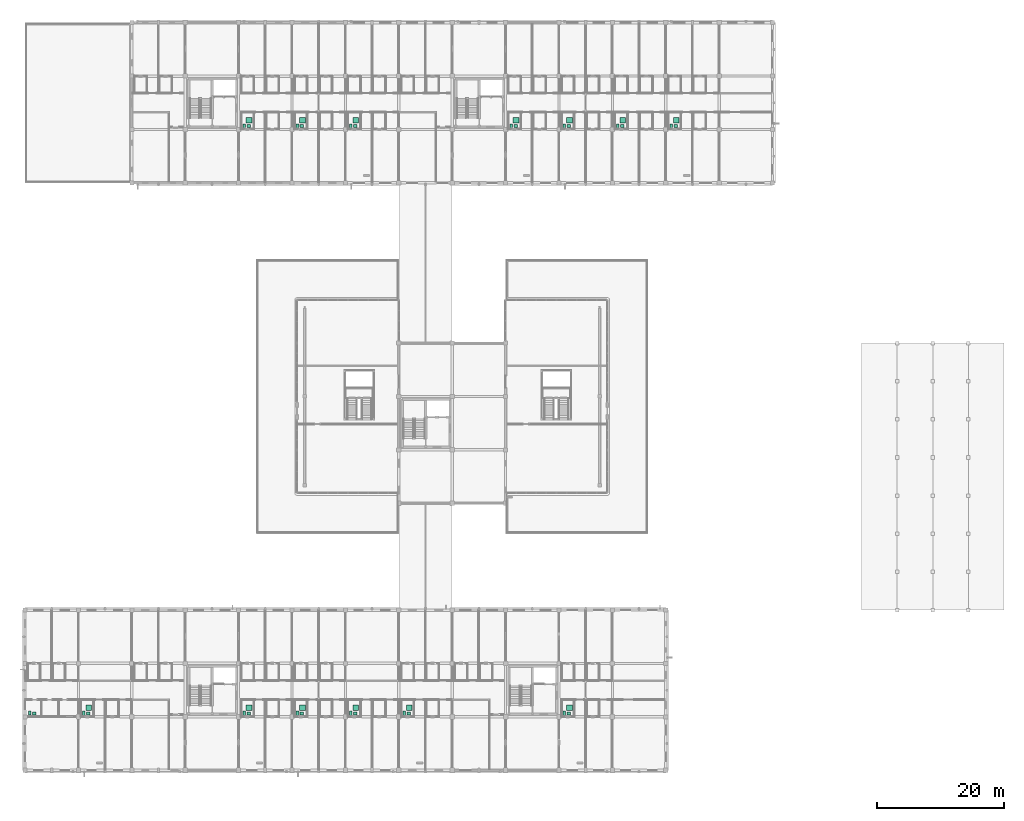
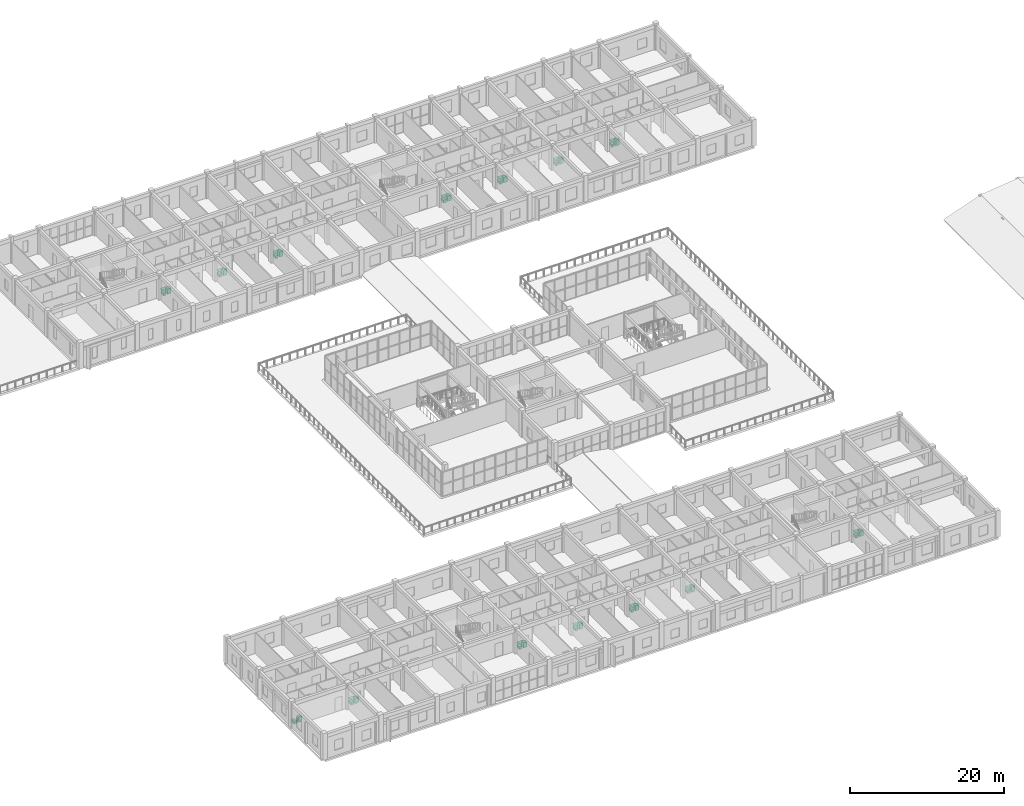
# One storey, part 90 of 90: 41 sanitary terminals.
"""IFC4 building model written with IfcOpenShell, lengths in metres."""

from ifc_helpers import new_model, si_unit, direction, frame, origin, origin_2d, place, context, subcontext, project, spatial, rectangle, extrude, material, type_object, element, save


model = new_model("IFC4")

# Units and contexts
model_context = context("Model", 3, precision=1e-05, world=origin(), true_north=direction((0.0, 1.0)))
body_context = subcontext(model_context, "Body", "Model", "MODEL_VIEW")
ifc_project = project(units=[si_unit("LENGTHUNIT", "METRE"), si_unit("AREAUNIT", "SQUARE_METRE"), si_unit("VOLUMEUNIT", "CUBIC_METRE"), si_unit("PLANEANGLEUNIT", "RADIAN"), si_unit("MASSUNIT", "GRAM", prefix="KILO")], contexts=[model_context])

# Site, building, storey
site_placement = place(None, origin())
site = spatial("IfcSite", under=ifc_project, at=site_placement, CompositionType="ELEMENT")
building_placement = place(site_placement, origin())
building = spatial("IfcBuilding", under=site, at=building_placement, Name="Trelvath General Hospital", CompositionType="ELEMENT")
storey_placement = place(building_placement, frame((0.0, 0.0, 20.39990234375)))
storey = spatial("IfcBuildingStorey", under=building, at=storey_placement, Name="L05", CompositionType="ELEMENT", Elevation=20.39990234375)

# Sanitary terminals
ifc_material_1 = material(Name="Sanitary glazed porcelain")
sanitary_terminal_type_1 = type_object("IfcSanitaryTerminalType", Name="Sanitary Basin", PredefinedType="WASHHANDBASIN", material=ifc_material_1)
for number, where, z_axis, x_axis, name in (
    (1, (18.219970703125, 8.93994140625, 0.0), (0.0, 0.0, 1.0), (1.0, 0.0, 0.0), "Pedestal Washbasin FIT-L05-V6-AWC-2"),
    (2, (26.760009765625, 8.929931640625, 0.0), (0.0, 0.0, 1.0), (1.0, 0.0, 0.0), "Pedestal Washbasin FIT-L05-V6-3-W"),
    (3, (51.9599609375, 8.929931640625, 0.0), (0.0, 0.0, 1.0), (1.0, 0.0, 0.0), "Pedestal Washbasin FIT-L05-V6-6-W"),
    (4, (60.360107421875, 8.929931640625, 0.0), (0.0, 0.0, 1.0), (1.0, 0.0, 0.0), "Pedestal Washbasin FIT-L05-V6-7-W"),
    (5, (68.760009765625, 8.929931640625, 0.0), (0.0, 0.0, 1.0), (1.0, 0.0, 0.0), "Pedestal Washbasin FIT-L05-V6-8-W"),
    (6, (77.159912109375, 8.929931640625, 0.0), (0.0, 0.0, 1.0), (1.0, 0.0, 0.0), "Pedestal Washbasin FIT-L05-V6-9-W"),
    (7, (102.360107421875, 8.929931640625, 0.0), (0.0, 0.0, 1.0), (1.0, 0.0, 0.0), "Pedestal Washbasin FIT-L05-V6-12-W"),
    (8, (51.9599609375, 101.330078125, 0.0), (0.0, 0.0, 1.0), (1.0, 0.0, 0.0), "Pedestal Washbasin FIT-L05-V5-6-W"),
    (9, (60.360107421875, 101.330078125, 0.0), (0.0, 0.0, 1.0), (1.0, 0.0, 0.0), "Pedestal Washbasin FIT-L05-V5-7-W"),
    (10, (68.760009765625, 101.330078125, 0.0), (0.0, 0.0, 1.0), (1.0, 0.0, 0.0), "Pedestal Washbasin FIT-L05-V5-8-W"),
    (11, (93.9599609375, 101.330078125, 0.0), (0.0, 0.0, 1.0), (1.0, 0.0, 0.0), "Pedestal Washbasin FIT-L05-V5-11-W"),
    (12, (102.360107421875, 101.330078125, 0.0), (0.0, 0.0, 1.0), (1.0, 0.0, 0.0), "Pedestal Washbasin FIT-L05-V5-12-W"),
    (13, (110.760009765625, 101.330078125, 0.0), (0.0, 0.0, 1.0), (1.0, 0.0, 0.0), "Pedestal Washbasin FIT-L05-V5-13-W"),
    (14, (119.159912109375, 101.330078125, 0.0), (0.0, 0.0, 1.0), (1.0, 0.0, 0.0), "Pedestal Washbasin FIT-L05-V5-14-W"),
):
    element("IfcSanitaryTerminal", number, at=place(storey_placement, frame(where, z_axis=z_axis, x_axis=x_axis)), inside=storey, type_object=sanitary_terminal_type_1, Name=name, PredefinedType="WASHHANDBASIN", context=body_context, shape_type="SweptSolid", body=[
        extrude(rectangle(XDim=0.550048828125, YDim=0.449951171875, at=origin_2d()), origin(), (0.0, 0.0, 1.0), 0.85009765625),
    ])
ifc_material_2 = material(Name="Sanitary glazed porcelain")
sanitary_terminal_type_2 = type_object("IfcSanitaryTerminalType", Name="Sanitary Shower", PredefinedType="SHOWER", material=ifc_material_2)
for number, where, z_axis, x_axis, name in (
    (15, (26.840087890625, 9.840087890625, 0.0), (0.0, 0.0, 1.0), (1.0, 0.0, 0.0), "Roll-in Shower FIT-L05-V6-3-W"),
    (16, (52.0400390625, 9.840087890625, 0.0), (0.0, 0.0, 1.0), (1.0, 0.0, 0.0), "Roll-in Shower FIT-L05-V6-6-W"),
    (17, (60.43994140625, 9.840087890625, 0.0), (0.0, 0.0, 1.0), (1.0, 0.0, 0.0), "Roll-in Shower FIT-L05-V6-7-W"),
    (18, (68.840087890625, 9.840087890625, 0.0), (0.0, 0.0, 1.0), (1.0, 0.0, 0.0), "Roll-in Shower FIT-L05-V6-8-W"),
    (19, (77.239990234375, 9.840087890625, 0.0), (0.0, 0.0, 1.0), (1.0, 0.0, 0.0), "Roll-in Shower FIT-L05-V6-9-W"),
    (20, (102.43994140625, 9.840087890625, 0.0), (0.0, 0.0, 1.0), (1.0, 0.0, 0.0), "Roll-in Shower FIT-L05-V6-12-W"),
    (21, (52.0400390625, 102.239990234375, 0.0), (0.0, 0.0, 1.0), (1.0, 0.0, 0.0), "Roll-in Shower FIT-L05-V5-6-W"),
    (22, (60.43994140625, 102.239990234375, 0.0), (0.0, 0.0, 1.0), (1.0, 0.0, 0.0), "Roll-in Shower FIT-L05-V5-7-W"),
    (23, (68.840087890625, 102.239990234375, 0.0), (0.0, 0.0, 1.0), (1.0, 0.0, 0.0), "Roll-in Shower FIT-L05-V5-8-W"),
    (24, (94.0400390625, 102.239990234375, 0.0), (0.0, 0.0, 1.0), (1.0, 0.0, 0.0), "Roll-in Shower FIT-L05-V5-11-W"),
    (25, (102.43994140625, 102.239990234375, 0.0), (0.0, 0.0, 1.0), (1.0, 0.0, 0.0), "Roll-in Shower FIT-L05-V5-12-W"),
    (26, (110.840087890625, 102.239990234375, 0.0), (0.0, 0.0, 1.0), (1.0, 0.0, 0.0), "Roll-in Shower FIT-L05-V5-13-W"),
    (27, (119.239990234375, 102.239990234375, 0.0), (0.0, 0.0, 1.0), (1.0, 0.0, 0.0), "Roll-in Shower FIT-L05-V5-14-W"),
):
    element("IfcSanitaryTerminal", number, at=place(storey_placement, frame(where, z_axis=z_axis, x_axis=x_axis)), inside=storey, type_object=sanitary_terminal_type_2, Name=name, PredefinedType="SHOWER", context=body_context, shape_type="SweptSolid", body=[
        extrude(rectangle(XDim=0.89990234375, YDim=0.89990234375, at=origin_2d()), origin(), (0.0, 0.0, 1.0), 0.080078125),
    ])
ifc_material_3 = material(Name="Sanitary glazed porcelain")
sanitary_terminal_type_3 = type_object("IfcSanitaryTerminalType", Name="Sanitary WC", PredefinedType="TOILETPAN", material=ifc_material_3)
for number, where, z_axis, x_axis, name in (
    (28, (17.52001953125, 8.97998046875, 0.0), (0.0, 0.0, 1.0), (1.0, 0.0, 0.0), "WC Pan FIT-L05-V6-AWC-2"),
    (29, (26.06005859375, 8.969970703125, 0.0), (0.0, 0.0, 1.0), (1.0, 0.0, 0.0), "WC Pan FIT-L05-V6-3-W"),
    (30, (51.260009765625, 8.969970703125, 0.0), (0.0, 0.0, 1.0), (1.0, 0.0, 0.0), "WC Pan FIT-L05-V6-6-W"),
    (31, (59.659912109375, 8.969970703125, 0.0), (0.0, 0.0, 1.0), (1.0, 0.0, 0.0), "WC Pan FIT-L05-V6-7-W"),
    (32, (68.06005859375, 8.969970703125, 0.0), (0.0, 0.0, 1.0), (1.0, 0.0, 0.0), "WC Pan FIT-L05-V6-8-W"),
    (33, (76.4599609375, 8.969970703125, 0.0), (0.0, 0.0, 1.0), (1.0, 0.0, 0.0), "WC Pan FIT-L05-V6-9-W"),
    (34, (101.659912109375, 8.969970703125, 0.0), (0.0, 0.0, 1.0), (1.0, 0.0, 0.0), "WC Pan FIT-L05-V6-12-W"),
    (35, (51.260009765625, 101.3701171875, 0.0), (0.0, 0.0, 1.0), (1.0, 0.0, 0.0), "WC Pan FIT-L05-V5-6-W"),
    (36, (59.659912109375, 101.3701171875, 0.0), (0.0, 0.0, 1.0), (1.0, 0.0, 0.0), "WC Pan FIT-L05-V5-7-W"),
    (37, (68.06005859375, 101.3701171875, 0.0), (0.0, 0.0, 1.0), (1.0, 0.0, 0.0), "WC Pan FIT-L05-V5-8-W"),
    (38, (93.260009765625, 101.3701171875, 0.0), (0.0, 0.0, 1.0), (1.0, 0.0, 0.0), "WC Pan FIT-L05-V5-11-W"),
    (39, (101.659912109375, 101.3701171875, 0.0), (0.0, 0.0, 1.0), (1.0, 0.0, 0.0), "WC Pan FIT-L05-V5-12-W"),
    (40, (110.06005859375, 101.3701171875, 0.0), (0.0, 0.0, 1.0), (1.0, 0.0, 0.0), "WC Pan FIT-L05-V5-13-W"),
    (41, (118.4599609375, 101.3701171875, 0.0), (0.0, 0.0, 1.0), (1.0, 0.0, 0.0), "WC Pan FIT-L05-V5-14-W"),
):
    element("IfcSanitaryTerminal", number, at=place(storey_placement, frame(where, z_axis=z_axis, x_axis=x_axis)), inside=storey, type_object=sanitary_terminal_type_3, Name=name, PredefinedType="TOILETPAN", context=body_context, shape_type="SweptSolid", body=[
        extrude(rectangle(XDim=0.39990234375, YDim=0.64990234375, at=origin_2d()), origin(), (0.0, 0.0, 1.0), 0.449951171875),
    ])

save(model, "model.ifc")
